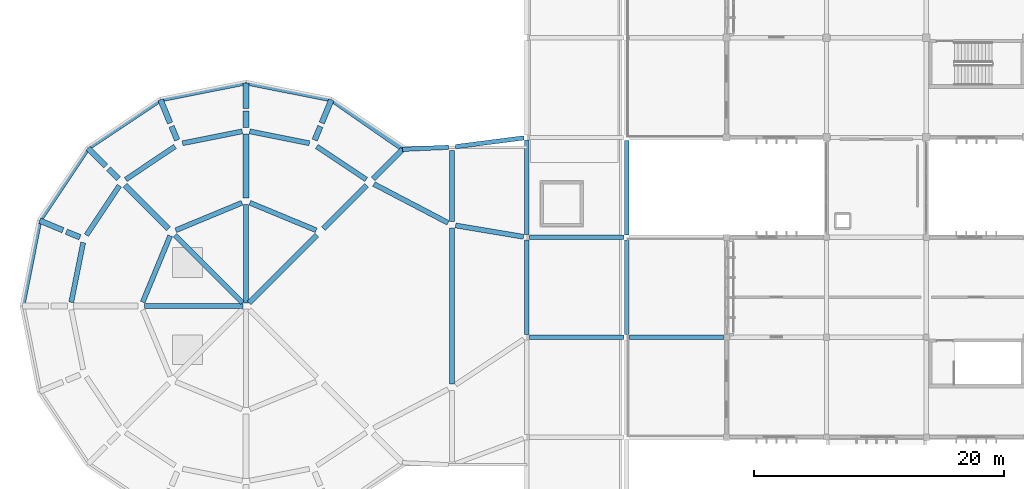
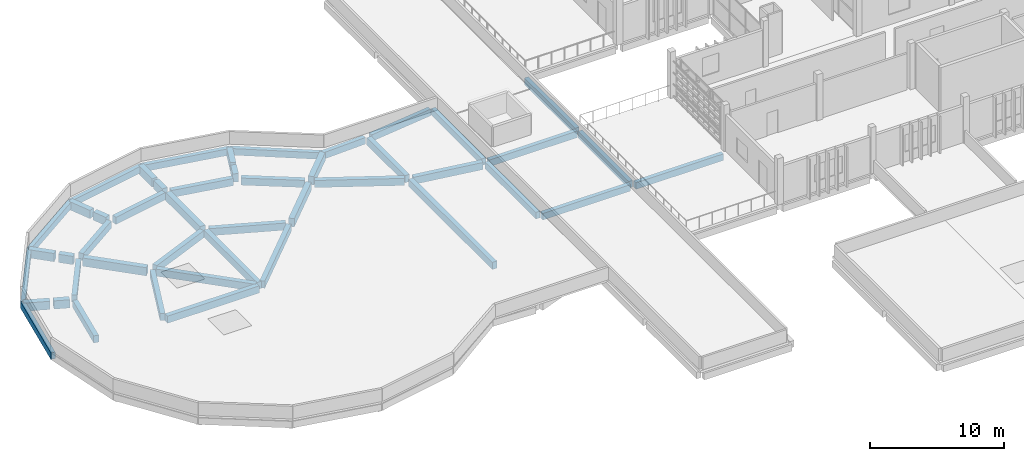
# One storey, part 3 of 48: 46 beams.
"""IFC4 building model written with IfcOpenShell, lengths in metres."""

from ifc_helpers import new_model, si_unit, direction, frame, origin, origin_2d, place, context, subcontext, project, spatial, rectangle, extrude, material, material_profile, profile_set, type_object, element, save


model = new_model("IFC4")

# Units and contexts
model_context = context("Model", 3, precision=1e-05, world=origin(), true_north=direction((0.0, 1.0)))
body_context = subcontext(model_context, "Body", "Model", "MODEL_VIEW")
ifc_project = project(units=[si_unit("LENGTHUNIT", "METRE"), si_unit("AREAUNIT", "SQUARE_METRE"), si_unit("VOLUMEUNIT", "CUBIC_METRE"), si_unit("PLANEANGLEUNIT", "RADIAN"), si_unit("MASSUNIT", "GRAM", prefix="KILO")], contexts=[model_context])

# Site, building, storey
site_placement = place(None, origin())
site = spatial("IfcSite", under=ifc_project, at=site_placement, CompositionType="ELEMENT")
building_placement = place(site_placement, origin())
building = spatial("IfcBuilding", under=site, at=building_placement, Name="Jelvoka-Kovrelna Polytechnic", CompositionType="ELEMENT")
storey_placement = place(building_placement, frame((0.0, 0.0, 22.199951171875)))
storey = spatial("IfcBuildingStorey", under=building, at=storey_placement, Name="L06", CompositionType="ELEMENT", Elevation=22.199951171875)

# Beams
ifc_material_1 = material(Name="Concrete C35/45", Category="concrete")
ifc_material_profile_1 = material_profile(ifc_material_1, rectangle(XDim=0.35009765625, YDim=0.60009765625, at=origin_2d()), Name="RC 350x600")
ifc_profile_set_1 = profile_set([ifc_material_profile_1], Name="Concrete C35/45")
beam_type_1 = type_object("IfcBeamType", Name="Beam_RC_350x600", PredefinedType="BEAM", material=ifc_profile_set_1)
beam_1_placement = place(storey_placement, frame((56.22998046875, 40.0, -0.52001953125), z_axis=(1.0, 0.0, 0.0), x_axis=(0.0, 1.0, 0.0)))
element("IfcBeam", 1, at=beam_1_placement, inside=storey, type_object=beam_type_1, Name="L06 beam 1777", PredefinedType="BEAM", context=body_context, shape_type="SweptSolid", body=[
    extrude(rectangle(XDim=0.35009765625, YDim=0.60009765625, at=origin_2d()), origin(), (0.0, 0.0, 1.0), 7.51513671875),
])
for number, where, z_axis, x_axis, name in (
    (2, (56.0, 40.22998046875, -0.52001953125), (0.0, 1.0, 0.0), (-1.0, 0.0, 0.0), "L06 beam 1780"),
    (3, (48.205078125, 40.0, -0.510009765625), (1.0, 0.0, 0.0), (0.0, 1.0, 0.0), "L06 beam 2161"),
    (4, (48.22998046875, 48.0, -0.510009765625), (1.0, 0.0, 0.0), (0.0, 1.0, 0.0), "L06 beam 2162"),
    (5, (48.0, 40.205078125, -0.510009765625), (0.0, 1.0, 0.0), (-1.0, 0.0, 0.0), "L06 beam 2169"),
    (6, (48.0, 48.22998046875, -0.510009765625), (0.0, 1.0, 0.0), (-1.0, 0.0, 0.0), "L06 beam 2170"),
    (7, (56.0, 48.205078125, -0.510009765625), (0.0, 1.0, 0.0), (-1.0, 0.0, 0.0), "L06 beam 2175"),
):
    element("IfcBeam", number, at=place(storey_placement, frame(where, z_axis=z_axis, x_axis=x_axis)), inside=storey, type_object=beam_type_1, Name=name, PredefinedType="BEAM", context=body_context, shape_type="SweptSolid", body=[
        extrude(rectangle(XDim=0.35009765625, YDim=0.60009765625, at=origin_2d()), origin(), (0.0, 0.0, 1.0), 7.56494140625),
    ])
ifc_material_2 = material(Name="Concrete C40/50", Category="concrete")
ifc_material_profile_2 = material_profile(ifc_material_2, rectangle(XDim=0.39990234375, YDim=0.64990234375, at=origin_2d()), Name="RC 400x650")
ifc_profile_set_2 = profile_set([ifc_material_profile_2], Name="Concrete C40/50")
beam_type_2 = type_object("IfcBeamType", Name="Beam_RC_400x650", PredefinedType="BEAM", material=ifc_profile_set_2)
beam_2_placement = place(storey_placement, frame((25.760986328125, 42.760986328125, -0.574951171875), z_axis=(0.707106781187, 0.707106781187, 0.0), x_axis=(-0.707106781187, 0.707106781187, 0.0)))
element("IfcBeam", 8, at=beam_2_placement, inside=storey, type_object=beam_type_2, Name="L06 beam 2668", PredefinedType="BEAM", context=body_context, shape_type="SweptSolid", body=[
    extrude(rectangle(XDim=0.39990234375, YDim=0.64990234375, at=origin_2d()), origin(), (0.0, 0.0, 1.0), 7.661865234375),
])
beam_3_placement = place(storey_placement, frame((25.5, 42.7548828125, -0.574951171875), z_axis=(0.0, 1.0, 0.0), x_axis=(-1.0, 0.0, 0.0)))
element("IfcBeam", 9, at=beam_3_placement, inside=storey, type_object=beam_type_2, Name="L06 beam 2670", PredefinedType="BEAM", context=body_context, shape_type="SweptSolid", body=[
    extrude(rectangle(XDim=0.39990234375, YDim=0.64990234375, at=origin_2d()), origin(), (0.0, 0.0, 1.0), 7.89013671875),
])
beam_4_placement = place(storey_placement, frame((25.239013671875, 42.760986328125, -0.574951171875), z_axis=(-0.707106781187, 0.707106781187, 0.0), x_axis=(-0.707106781187, -0.707106781187, 0.0)))
element("IfcBeam", 10, at=beam_4_placement, inside=storey, type_object=beam_type_2, Name="L06 beam 2672", PredefinedType="BEAM", context=body_context, shape_type="SweptSolid", body=[
    extrude(rectangle(XDim=0.39990234375, YDim=0.64990234375, at=origin_2d()), origin(), (0.0, 0.0, 1.0), 7.661865234375),
])
beam_5_placement = place(storey_placement, frame((25.2451171875, 42.5, -0.574951171875), z_axis=(-1.0, 0.0, 0.0), x_axis=(0.0, -1.0, 0.0)))
element("IfcBeam", 11, at=beam_5_placement, inside=storey, type_object=beam_type_2, Name="L06 beam 2674", PredefinedType="BEAM", context=body_context, shape_type="SweptSolid", body=[
    extrude(rectangle(XDim=0.39990234375, YDim=0.64990234375, at=origin_2d()), origin(), (0.0, 0.0, 1.0), 7.89013671875),
])
for number, where, z_axis, x_axis, name in (
    (12, (31.126220703125, 48.569580078125, -0.574951171875), (-0.923875049333, 0.382694255535, 0.0), (-0.382694255535, -0.923875049333, 0.0), "L06 beam 2682"),
    (13, (25.1865234375, 50.770263671875, -0.574951171875), (-0.923875049333, -0.382694255535, 0.0), (0.382694255535, -0.923875049333, 0.0), "L06 beam 2683"),
    (14, (19.430419921875, 48.126220703125, -0.574951171875), (-0.382694255535, -0.923875049333, 0.0), (0.923875049333, -0.382694255535, 0.0), "L06 beam 2684"),
):
    element("IfcBeam", number, at=place(storey_placement, frame(where, z_axis=z_axis, x_axis=x_axis)), inside=storey, type_object=beam_type_2, Name=name, PredefinedType="BEAM", context=body_context, shape_type="SweptSolid", body=[
        extrude(rectangle(XDim=0.39990234375, YDim=0.64990234375, at=origin_2d()), origin(), (0.0, 0.0, 1.0), 5.75048828125),
    ])
beam_6_placement = place(storey_placement, frame((35.134521484375, 52.6357421875, -0.574951171875), z_axis=(-0.831481639011, 0.555552233357, 0.0), x_axis=(-0.555552233357, -0.831481639011, 0.0)))
element("IfcBeam", 15, at=beam_6_placement, inside=storey, type_object=beam_type_2, Name="L06 beam 2688", PredefinedType="BEAM", context=body_context, shape_type="SweptSolid", body=[
    extrude(rectangle(XDim=0.39990234375, YDim=0.64990234375, at=origin_2d()), origin(), (0.0, 0.0, 1.0), 4.75927734375),
])
for number, where, z_axis, x_axis, name in (
    (16, (30.5791015625, 55.539794921875, -0.574951171875), (-0.980791975019, 0.19505666289, 0.0), (-0.19505666289, -0.980791975019, 0.0), "L06 beam 2689"),
    (17, (25.202392578125, 56.49072265625, -0.574951171875), (-0.980791975019, -0.19505666289, 0.0), (0.19505666289, -0.980791975019, 0.0), "L06 beam 2690"),
):
    element("IfcBeam", number, at=place(storey_placement, frame(where, z_axis=z_axis, x_axis=x_axis)), inside=storey, type_object=beam_type_2, Name=name, PredefinedType="BEAM", context=body_context, shape_type="SweptSolid", body=[
        extrude(rectangle(XDim=0.39990234375, YDim=0.64990234375, at=origin_2d()), origin(), (0.0, 0.0, 1.0), 4.875244140625),
    ])
for number, where, z_axis, x_axis, name in (
    (18, (19.82275390625, 55.27978515625, -0.574951171875), (-0.831481639011, -0.555552233357, 0.0), (0.555552233357, -0.831481639011, 0.0), "L06 beam 2691"),
    (19, (15.3642578125, 52.134521484375, -0.574951171875), (-0.555552233357, -0.831481639011, 0.0), (0.831481639011, -0.555552233357, 0.0), "L06 beam 2692"),
):
    element("IfcBeam", number, at=place(storey_placement, frame(where, z_axis=z_axis, x_axis=x_axis)), inside=storey, type_object=beam_type_2, Name=name, PredefinedType="BEAM", context=body_context, shape_type="SweptSolid", body=[
        extrude(rectangle(XDim=0.39990234375, YDim=0.64990234375, at=origin_2d()), origin(), (0.0, 0.0, 1.0), 4.75927734375),
    ])
beam_7_placement = place(storey_placement, frame((12.460205078125, 47.5791015625, -0.574951171875), z_axis=(-0.19505666289, -0.980791975019, 0.0), x_axis=(0.980791975019, -0.19505666289, 0.0)))
element("IfcBeam", 20, at=beam_7_placement, inside=storey, type_object=beam_type_2, Name="L06 beam 2693", PredefinedType="BEAM", context=body_context, shape_type="SweptSolid", body=[
    extrude(rectangle(XDim=0.39990234375, YDim=0.64990234375, at=origin_2d()), origin(), (0.0, 0.0, 1.0), 4.875244140625),
])
beam_8_placement = place(storey_placement, frame((35.74609375, 52.272216796875, -0.574951171875), z_axis=(0.886049449052, -0.463590739591, 0.0), x_axis=(0.463590739591, 0.886049449052, 0.0)))
element("IfcBeam", 21, at=beam_8_placement, inside=storey, type_object=beam_type_2, Name="L06 beam 2740", PredefinedType="BEAM", context=body_context, shape_type="SweptSolid", body=[
    extrude(rectangle(XDim=0.39990234375, YDim=0.64990234375, at=origin_2d()), origin(), (0.0, 0.0, 1.0), 6.707275390625),
])
beam_9_placement = place(storey_placement, frame((42.29248046875, 48.951416015625, -0.574951171875), z_axis=(0.986386748754, -0.164442031984, 0.0), x_axis=(0.164442031984, 0.986386748754, 0.0)))
element("IfcBeam", 22, at=beam_9_placement, inside=storey, type_object=beam_type_2, Name="L06 beam 2741", PredefinedType="BEAM", context=body_context, shape_type="SweptSolid", body=[
    extrude(rectangle(XDim=0.39990234375, YDim=0.64990234375, at=origin_2d()), origin(), (0.0, 0.0, 1.0), 5.5185546875),
])
beam_10_placement = place(storey_placement, frame((42.0, 36.2548828125, -0.574951171875), z_axis=(0.0, 1.0, 0.0), x_axis=(-1.0, 0.0, 0.0)))
element("IfcBeam", 23, at=beam_10_placement, inside=storey, type_object=beam_type_2, Name="L06 beam 2745", PredefinedType="BEAM", context=body_context, shape_type="SweptSolid", body=[
    extrude(rectangle(XDim=0.39990234375, YDim=0.64990234375, at=origin_2d()), origin(), (0.0, 0.0, 1.0), 12.490234375),
])
beam_11_placement = place(storey_placement, frame((42.0, 49.2548828125, -0.574951171875), z_axis=(0.0, 1.0, 0.0), x_axis=(-1.0, 0.0, 0.0)))
element("IfcBeam", 24, at=beam_11_placement, inside=storey, type_object=beam_type_2, Name="L06 beam 2746", PredefinedType="BEAM", context=body_context, shape_type="SweptSolid", body=[
    extrude(rectangle(XDim=0.39990234375, YDim=0.64990234375, at=origin_2d()), origin(), (0.0, 0.0, 1.0), 5.718017578125),
])
ifc_material_3 = material(Name="Concrete C40/50", Category="concrete")
ifc_material_profile_3 = material_profile(ifc_material_3, rectangle(XDim=0.449951171875, YDim=0.75, at=origin_2d()), Name="RC 450x750")
ifc_profile_set_3 = profile_set([ifc_material_profile_3], Name="Concrete C40/50")
beam_type_3 = type_object("IfcBeamType", Name="Beam_RC_450x750", PredefinedType="BEAM", material=ifc_profile_set_3)
beam_12_placement = place(storey_placement, frame((31.70068359375, 48.70068359375, -0.625), z_axis=(0.707106781187, 0.707106781187, 0.0), x_axis=(-0.707106781187, 0.707106781187, 0.0)))
element("IfcBeam", 25, at=beam_12_placement, inside=storey, type_object=beam_type_3, Name="L06 beam 2669", PredefinedType="BEAM", context=body_context, shape_type="SweptSolid", body=[
    extrude(rectangle(XDim=0.449951171875, YDim=0.75, at=origin_2d()), origin(), (0.0, 0.0, 1.0), 4.912109375),
])
beam_13_placement = place(storey_placement, frame((25.5, 51.155029296875, -0.625), z_axis=(0.0, 1.0, 0.0), x_axis=(-1.0, 0.0, 0.0)))
element("IfcBeam", 26, at=beam_13_placement, inside=storey, type_object=beam_type_3, Name="L06 beam 2671", PredefinedType="BEAM", context=body_context, shape_type="SweptSolid", body=[
    extrude(rectangle(XDim=0.449951171875, YDim=0.75, at=origin_2d()), origin(), (0.0, 0.0, 1.0), 5.139892578125),
])
beam_14_placement = place(storey_placement, frame((19.29931640625, 48.70068359375, -0.625), z_axis=(-0.707106781187, 0.707106781187, 0.0), x_axis=(-0.707106781187, -0.707106781187, 0.0)))
element("IfcBeam", 27, at=beam_14_placement, inside=storey, type_object=beam_type_3, Name="L06 beam 2673", PredefinedType="BEAM", context=body_context, shape_type="SweptSolid", body=[
    extrude(rectangle(XDim=0.449951171875, YDim=0.75, at=origin_2d()), origin(), (0.0, 0.0, 1.0), 4.912109375),
])
beam_15_placement = place(storey_placement, frame((35.69580078125, 52.69580078125, -0.625), z_axis=(0.707106781187, 0.707106781187, 0.0), x_axis=(-0.707106781187, 0.707106781187, 0.0)))
element("IfcBeam", 28, at=beam_15_placement, inside=storey, type_object=beam_type_3, Name="L06 beam 2700", PredefinedType="BEAM", context=body_context, shape_type="SweptSolid", body=[
    extrude(rectangle(XDim=0.449951171875, YDim=0.75, at=origin_2d()), origin(), (0.0, 0.0, 1.0), 3.330810546875),
])
beam_16_placement = place(storey_placement, frame((31.006591796875, 55.7939453125, -0.625), z_axis=(0.382624758943, 0.923903833656, 0.0), x_axis=(-0.923903833656, 0.382624758943, 0.0)))
element("IfcBeam", 29, at=beam_16_placement, inside=storey, type_object=beam_type_3, Name="L06 beam 2701", PredefinedType="BEAM", context=body_context, shape_type="SweptSolid", body=[
    extrude(rectangle(XDim=0.449951171875, YDim=0.75, at=origin_2d()), origin(), (0.0, 0.0, 1.0), 1.184814453125),
])
beam_17_placement = place(storey_placement, frame((31.571533203125, 57.158203125, -0.625), z_axis=(0.38266938507, 0.923885350966, 0.0), x_axis=(-0.923885350966, 0.38266938507, 0.0)))
element("IfcBeam", 30, at=beam_17_placement, inside=storey, type_object=beam_type_3, Name="L06 beam 2702", PredefinedType="BEAM", context=body_context, shape_type="SweptSolid", body=[
    extrude(rectangle(XDim=0.449951171875, YDim=0.75, at=origin_2d()), origin(), (0.0, 0.0, 1.0), 2.01416015625),
])
beam_18_placement = place(storey_placement, frame((25.5, 56.804931640625, -0.625), z_axis=(0.0, 1.0, 0.0), x_axis=(-1.0, 0.0, 0.0)))
element("IfcBeam", 31, at=beam_18_placement, inside=storey, type_object=beam_type_3, Name="L06 beam 2703", PredefinedType="BEAM", context=body_context, shape_type="SweptSolid", body=[
    extrude(rectangle(XDim=0.449951171875, YDim=0.75, at=origin_2d()), origin(), (0.0, 0.0, 1.0), 1.30810546875),
])
beam_19_placement = place(storey_placement, frame((25.5, 58.326904296875, -0.625), z_axis=(0.0, 1.0, 0.0), x_axis=(-1.0, 0.0, 0.0)))
element("IfcBeam", 32, at=beam_19_placement, inside=storey, type_object=beam_type_3, Name="L06 beam 2704", PredefinedType="BEAM", context=body_context, shape_type="SweptSolid", body=[
    extrude(rectangle(XDim=0.449951171875, YDim=0.75, at=origin_2d()), origin(), (0.0, 0.0, 1.0), 2.052978515625),
])
beam_20_placement = place(storey_placement, frame((19.993408203125, 55.7939453125, -0.625), z_axis=(-0.382624758943, 0.923903833656, 0.0), x_axis=(-0.923903833656, -0.382624758943, 0.0)))
element("IfcBeam", 33, at=beam_20_placement, inside=storey, type_object=beam_type_3, Name="L06 beam 2705", PredefinedType="BEAM", context=body_context, shape_type="SweptSolid", body=[
    extrude(rectangle(XDim=0.449951171875, YDim=0.75, at=origin_2d()), origin(), (0.0, 0.0, 1.0), 1.184814453125),
])
beam_21_placement = place(storey_placement, frame((19.428466796875, 57.158203125, -0.625), z_axis=(-0.38266938507, 0.923885350966, 0.0), x_axis=(-0.923885350966, -0.38266938507, 0.0)))
element("IfcBeam", 34, at=beam_21_placement, inside=storey, type_object=beam_type_3, Name="L06 beam 2706", PredefinedType="BEAM", context=body_context, shape_type="SweptSolid", body=[
    extrude(rectangle(XDim=0.449951171875, YDim=0.75, at=origin_2d()), origin(), (0.0, 0.0, 1.0), 2.01416015625),
])
beam_22_placement = place(storey_placement, frame((15.30419921875, 52.69580078125, -0.625), z_axis=(-0.707106781187, 0.707106781187, 0.0), x_axis=(-0.707106781187, -0.707106781187, 0.0)))
element("IfcBeam", 35, at=beam_22_placement, inside=storey, type_object=beam_type_3, Name="L06 beam 2707", PredefinedType="BEAM", context=body_context, shape_type="SweptSolid", body=[
    extrude(rectangle(XDim=0.449951171875, YDim=0.75, at=origin_2d()), origin(), (0.0, 0.0, 1.0), 1.14111328125),
])
beam_23_placement = place(storey_placement, frame((14.271484375, 53.728515625, -0.625), z_axis=(-0.707106781187, 0.707106781187, 0.0), x_axis=(-0.707106781187, -0.707106781187, 0.0)))
element("IfcBeam", 36, at=beam_23_placement, inside=storey, type_object=beam_type_3, Name="L06 beam 2708", PredefinedType="BEAM", context=body_context, shape_type="SweptSolid", body=[
    extrude(rectangle(XDim=0.449951171875, YDim=0.75, at=origin_2d()), origin(), (0.0, 0.0, 1.0), 2.00048828125),
])
beam_24_placement = place(storey_placement, frame((12.2060546875, 48.006591796875, -0.625), z_axis=(-0.923903833656, 0.382624758943, 0.0), x_axis=(-0.382624758943, -0.923903833656, 0.0)))
element("IfcBeam", 37, at=beam_24_placement, inside=storey, type_object=beam_type_3, Name="L06 beam 2709", PredefinedType="BEAM", context=body_context, shape_type="SweptSolid", body=[
    extrude(rectangle(XDim=0.449951171875, YDim=0.75, at=origin_2d()), origin(), (0.0, 0.0, 1.0), 1.184814453125),
])
beam_25_placement = place(storey_placement, frame((10.841796875, 48.571533203125, -0.625), z_axis=(-0.923885350966, 0.38266938507, 0.0), x_axis=(-0.38266938507, -0.923885350966, 0.0)))
element("IfcBeam", 38, at=beam_25_placement, inside=storey, type_object=beam_type_3, Name="L06 beam 2710", PredefinedType="BEAM", context=body_context, shape_type="SweptSolid", body=[
    extrude(rectangle(XDim=0.449951171875, YDim=0.75, at=origin_2d()), origin(), (0.0, 0.0, 1.0), 2.01416015625),
])
ifc_material_4 = material(Name="Concrete C40/50", Category="concrete")
ifc_material_profile_4 = material_profile(ifc_material_4, rectangle(XDim=0.35009765625, YDim=0.60009765625, at=origin_2d()), Name="RC 350x600")
ifc_profile_set_4 = profile_set([ifc_material_profile_4], Name="Concrete C40/50")
beam_type_4 = type_object("IfcBeamType", Name="Spandrel_RC_350x600", PredefinedType="SPANDREL", material=ifc_profile_set_4)
beam_26_placement = place(storey_placement, frame((38.051025390625, 55.051025390625, -0.550048828125), z_axis=(-0.821126306312, 0.570746519116, 0.0), x_axis=(-0.570746519116, -0.821126306312, 0.0)))
element("IfcBeam", 39, at=beam_26_placement, inside=storey, type_object=beam_type_4, Name="L06 beam 2724", PredefinedType="SPANDREL", context=body_context, shape_type="SweptSolid", body=[
    extrude(rectangle(XDim=0.35009765625, YDim=0.60009765625, at=origin_2d()), origin(), (0.0, 0.0, 1.0), 6.952392578125),
])
for number, where, z_axis, x_axis, name in (
    (40, (32.34228515625, 59.01904296875, -0.550048828125), (-0.98079008799, 0.19506615109, 0.0), (-0.19506615109, -0.98079008799, 0.0), "L06 beam 2725"),
    (41, (25.5, 60.3798828125, -0.550048828125), (-0.98079008799, -0.19506615109, 0.0), (0.19506615109, -0.98079008799, 0.0), "L06 beam 2726"),
):
    element("IfcBeam", number, at=place(storey_placement, frame(where, z_axis=z_axis, x_axis=x_axis)), inside=storey, type_object=beam_type_4, Name=name, PredefinedType="SPANDREL", context=body_context, shape_type="SweptSolid", body=[
        extrude(rectangle(XDim=0.35009765625, YDim=0.60009765625, at=origin_2d()), origin(), (0.0, 0.0, 1.0), 6.976318359375),
    ])
for number, where, z_axis, x_axis, name in (
    (42, (18.65771484375, 59.01904296875, -0.550048828125), (-0.831468390799, -0.555572061125, 0.0), (0.555572061125, -0.831468390799, 0.0), "L06 beam 2727"),
    (43, (12.85693359375, 55.14306640625, -0.550048828125), (-0.555572061125, -0.831468390799, 0.0), (0.831468390799, -0.555572061125, 0.0), "L06 beam 2728"),
):
    element("IfcBeam", number, at=place(storey_placement, frame(where, z_axis=z_axis, x_axis=x_axis)), inside=storey, type_object=beam_type_4, Name=name, PredefinedType="SPANDREL", context=body_context, shape_type="SweptSolid", body=[
        extrude(rectangle(XDim=0.35009765625, YDim=0.60009765625, at=origin_2d()), origin(), (0.0, 0.0, 1.0), 6.9765625),
    ])
beam_27_placement = place(storey_placement, frame((8.98095703125, 49.34228515625, -0.550048828125), z_axis=(-0.19506615109, -0.98079008799, 0.0), x_axis=(0.98079008799, -0.19506615109, 0.0)))
element("IfcBeam", 44, at=beam_27_placement, inside=storey, type_object=beam_type_4, Name="L06 beam 2729", PredefinedType="SPANDREL", context=body_context, shape_type="SweptSolid", body=[
    extrude(rectangle(XDim=0.35009765625, YDim=0.60009765625, at=origin_2d()), origin(), (0.0, 0.0, 1.0), 6.976318359375),
])
beam_28_placement = place(storey_placement, frame((38.051025390625, 55.051025390625, -0.550048828125), z_axis=(0.998997021188, 0.044776686535, 0.0), x_axis=(-0.044776686535, 0.998997021188, 0.0)))
element("IfcBeam", 45, at=beam_28_placement, inside=storey, type_object=beam_type_4, Name="L06 beam 2736", PredefinedType="SPANDREL", context=body_context, shape_type="SweptSolid", body=[
    extrude(rectangle(XDim=0.35009765625, YDim=0.60009765625, at=origin_2d()), origin(), (0.0, 0.0, 1.0), 3.685791015625),
])
beam_29_placement = place(storey_placement, frame((42.285400390625, 55.2646484375, -0.550048828125), z_axis=(0.991821010765, 0.127636525356, 0.0), x_axis=(-0.127636525356, 0.991821010765, 0.0)))
element("IfcBeam", 46, at=beam_29_placement, inside=storey, type_object=beam_type_4, Name="L06 beam 2737", PredefinedType="SPANDREL", context=body_context, shape_type="SweptSolid", body=[
    extrude(rectangle(XDim=0.35009765625, YDim=0.60009765625, at=origin_2d()), origin(), (0.0, 0.0, 1.0), 5.52978515625),
])

save(model, "model.ifc")
